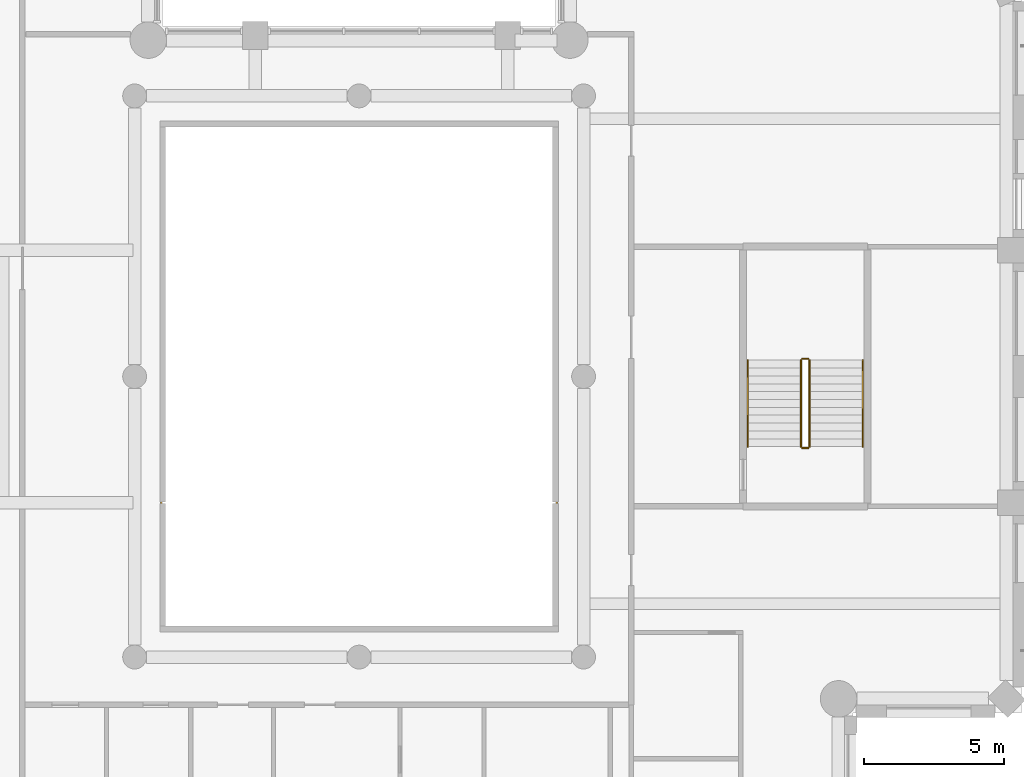
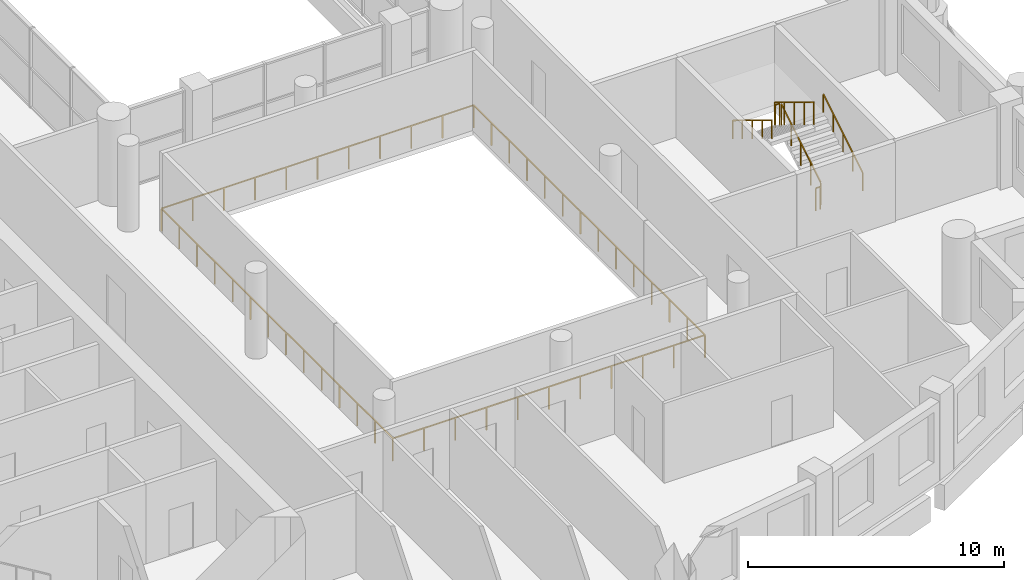
# One storey, part 11 of 14: 7 railings.
"""IFC4 building model written with IfcOpenShell, lengths in metres."""

from ifc_helpers import new_model, si_unit, direction, frame, origin, origin_2d, place, context, subcontext, project, spatial, rectangle, extrude, material, type_object, element, save


model = new_model("IFC4")

# Units and contexts
model_context = context("Model", 3, precision=1e-05, world=origin(), true_north=direction((0.0, 1.0)))
body_context = subcontext(model_context, "Body", "Model", "MODEL_VIEW")
ifc_project = project(units=[si_unit("LENGTHUNIT", "METRE"), si_unit("AREAUNIT", "SQUARE_METRE"), si_unit("VOLUMEUNIT", "CUBIC_METRE"), si_unit("PLANEANGLEUNIT", "RADIAN"), si_unit("MASSUNIT", "GRAM", prefix="KILO")], contexts=[model_context])

# Site, building, storey
site_placement = place(None, origin())
site = spatial("IfcSite", under=ifc_project, at=site_placement, CompositionType="ELEMENT")
building_placement = place(site_placement, origin())
building = spatial("IfcBuilding", under=site, at=building_placement, Name="Cypress Arch Tower", CompositionType="ELEMENT")
storey_placement = place(building_placement, frame((0.0, 0.0, 268.0)))
storey = spatial("IfcBuildingStorey", under=building, at=storey_placement, Name="L60", CompositionType="ELEMENT", Elevation=268.0)

# Railings
ifc_material_1 = material(Name="Stainless steel posts and handrail, laminated glass infill", Category="steel")
railing_type_1 = type_object("IfcRailingType", Name="Atrium guard GR1100A", PredefinedType="GUARDRAIL", material=ifc_material_1)
railing_1_placement = place(storey_placement, frame((8.050048828125, -9.050048828125, 0.0)))
element("IfcRailing", 1, at=railing_1_placement, inside=storey, type_object=railing_type_1, Name="Atrium guard L60", PredefinedType="GUARDRAIL", context=body_context, shape_type="SweptSolid", body=[
    extrude(rectangle(XDim=0.050048828125, YDim=0.050048828125, at=origin_2d()), frame((0.0, 0.0, 1.0751953125), z_axis=(-1.0, 0.0, 0.0), x_axis=(0.0, -1.0, 0.0)), (0.0, 0.0, 1.0), 14.10009765625),
    extrude(rectangle(XDim=0.050048828125, YDim=0.050048828125, at=origin_2d()), frame((-14.10009765625, 0.0, 1.0751953125), z_axis=(0.0, 1.0, 0.0), x_axis=(-1.0, 0.0, 0.0)), (0.0, 0.0, 1.0), 18.10009765625),
    extrude(rectangle(XDim=0.050048828125, YDim=0.050048828125, at=origin_2d()), frame((-14.10009765625, 18.10009765625, 1.0751953125), z_axis=(1.0, 0.0, 0.0), x_axis=(0.0, 1.0, 0.0)), (0.0, 0.0, 1.0), 14.10009765625),
    extrude(rectangle(XDim=0.050048828125, YDim=0.050048828125, at=origin_2d()), frame((0.0, 18.10009765625, 1.0751953125), z_axis=(0.0, -1.0, 0.0), x_axis=(1.0, 0.0, 0.0)), (0.0, 0.0, 1.0), 18.10009765625),
    extrude(rectangle(XDim=0.050048828125, YDim=0.050048828125, at=origin_2d()), origin(), (0.0, 0.0, 1.0), 1.050048828125),
    extrude(rectangle(XDim=0.050048828125, YDim=0.050048828125, at=origin_2d()), frame((-1.409912109375, 0.0, 0.0)), (0.0, 0.0, 1.0), 1.050048828125),
    extrude(rectangle(XDim=0.050048828125, YDim=0.050048828125, at=origin_2d()), frame((-2.820068359375, 0.0, 0.0)), (0.0, 0.0, 1.0), 1.050048828125),
    extrude(rectangle(XDim=0.050048828125, YDim=0.050048828125, at=origin_2d()), frame((-4.22998046875, 0.0, 0.0)), (0.0, 0.0, 1.0), 1.050048828125),
    extrude(rectangle(XDim=0.050048828125, YDim=0.050048828125, at=origin_2d()), frame((-5.64013671875, 0.0, 0.0)), (0.0, 0.0, 1.0), 1.050048828125),
    extrude(rectangle(XDim=0.050048828125, YDim=0.050048828125, at=origin_2d()), frame((-7.050048828125, 0.0, 0.0)), (0.0, 0.0, 1.0), 1.050048828125),
    extrude(rectangle(XDim=0.050048828125, YDim=0.050048828125, at=origin_2d()), frame((-8.4599609375, 0.0, 0.0)), (0.0, 0.0, 1.0), 1.050048828125),
    extrude(rectangle(XDim=0.050048828125, YDim=0.050048828125, at=origin_2d()), frame((-9.8701171875, 0.0, 0.0)), (0.0, 0.0, 1.0), 1.050048828125),
    extrude(rectangle(XDim=0.050048828125, YDim=0.050048828125, at=origin_2d()), frame((-11.280029296875, 0.0, 0.0)), (0.0, 0.0, 1.0), 1.050048828125),
    extrude(rectangle(XDim=0.050048828125, YDim=0.050048828125, at=origin_2d()), frame((-12.690185546875, 0.0, 0.0)), (0.0, 0.0, 1.0), 1.050048828125),
    extrude(rectangle(XDim=0.050048828125, YDim=0.050048828125, at=origin_2d()), frame((-14.10009765625, 0.0, 0.0)), (0.0, 0.0, 1.0), 1.050048828125),
    extrude(rectangle(XDim=0.050048828125, YDim=0.050048828125, at=origin_2d()), frame((-14.10009765625, 1.392333984375, 0.0)), (0.0, 0.0, 1.0), 1.050048828125),
    extrude(rectangle(XDim=0.050048828125, YDim=0.050048828125, at=origin_2d()), frame((-14.10009765625, 2.78466796875, 0.0)), (0.0, 0.0, 1.0), 1.050048828125),
    extrude(rectangle(XDim=0.050048828125, YDim=0.050048828125, at=origin_2d()), frame((-14.10009765625, 4.177001953125, 0.0)), (0.0, 0.0, 1.0), 1.050048828125),
    extrude(rectangle(XDim=0.050048828125, YDim=0.050048828125, at=origin_2d()), frame((-14.10009765625, 5.5693359375, 0.0)), (0.0, 0.0, 1.0), 1.050048828125),
    extrude(rectangle(XDim=0.050048828125, YDim=0.050048828125, at=origin_2d()), frame((-14.10009765625, 6.961669921875, 0.0)), (0.0, 0.0, 1.0), 1.050048828125),
    extrude(rectangle(XDim=0.050048828125, YDim=0.050048828125, at=origin_2d()), frame((-14.10009765625, 8.35400390625, 0.0)), (0.0, 0.0, 1.0), 1.050048828125),
    extrude(rectangle(XDim=0.050048828125, YDim=0.050048828125, at=origin_2d()), frame((-14.10009765625, 9.74609375, 0.0)), (0.0, 0.0, 1.0), 1.050048828125),
    extrude(rectangle(XDim=0.050048828125, YDim=0.050048828125, at=origin_2d()), frame((-14.10009765625, 11.138427734375, 0.0)), (0.0, 0.0, 1.0), 1.050048828125),
    extrude(rectangle(XDim=0.050048828125, YDim=0.050048828125, at=origin_2d()), frame((-14.10009765625, 12.53076171875, 0.0)), (0.0, 0.0, 1.0), 1.050048828125),
    extrude(rectangle(XDim=0.050048828125, YDim=0.050048828125, at=origin_2d()), frame((-14.10009765625, 13.923095703125, 0.0)), (0.0, 0.0, 1.0), 1.050048828125),
    extrude(rectangle(XDim=0.050048828125, YDim=0.050048828125, at=origin_2d()), frame((-14.10009765625, 15.3154296875, 0.0)), (0.0, 0.0, 1.0), 1.050048828125),
    extrude(rectangle(XDim=0.050048828125, YDim=0.050048828125, at=origin_2d()), frame((-14.10009765625, 16.707763671875, 0.0)), (0.0, 0.0, 1.0), 1.050048828125),
    extrude(rectangle(XDim=0.050048828125, YDim=0.050048828125, at=origin_2d()), frame((-14.10009765625, 18.10009765625, 0.0)), (0.0, 0.0, 1.0), 1.050048828125),
    extrude(rectangle(XDim=0.050048828125, YDim=0.050048828125, at=origin_2d()), frame((-12.690185546875, 18.10009765625, 0.0)), (0.0, 0.0, 1.0), 1.050048828125),
    extrude(rectangle(XDim=0.050048828125, YDim=0.050048828125, at=origin_2d()), frame((-11.280029296875, 18.10009765625, 0.0)), (0.0, 0.0, 1.0), 1.050048828125),
    extrude(rectangle(XDim=0.050048828125, YDim=0.050048828125, at=origin_2d()), frame((-9.8701171875, 18.10009765625, 0.0)), (0.0, 0.0, 1.0), 1.050048828125),
    extrude(rectangle(XDim=0.050048828125, YDim=0.050048828125, at=origin_2d()), frame((-8.4599609375, 18.10009765625, 0.0)), (0.0, 0.0, 1.0), 1.050048828125),
    extrude(rectangle(XDim=0.050048828125, YDim=0.050048828125, at=origin_2d()), frame((-7.050048828125, 18.10009765625, 0.0)), (0.0, 0.0, 1.0), 1.050048828125),
    extrude(rectangle(XDim=0.050048828125, YDim=0.050048828125, at=origin_2d()), frame((-5.64013671875, 18.10009765625, 0.0)), (0.0, 0.0, 1.0), 1.050048828125),
    extrude(rectangle(XDim=0.050048828125, YDim=0.050048828125, at=origin_2d()), frame((-4.22998046875, 18.10009765625, 0.0)), (0.0, 0.0, 1.0), 1.050048828125),
    extrude(rectangle(XDim=0.050048828125, YDim=0.050048828125, at=origin_2d()), frame((-2.820068359375, 18.10009765625, 0.0)), (0.0, 0.0, 1.0), 1.050048828125),
    extrude(rectangle(XDim=0.050048828125, YDim=0.050048828125, at=origin_2d()), frame((-1.409912109375, 18.10009765625, 0.0)), (0.0, 0.0, 1.0), 1.050048828125),
    extrude(rectangle(XDim=0.050048828125, YDim=0.050048828125, at=origin_2d()), frame((0.0, 18.10009765625, 0.0)), (0.0, 0.0, 1.0), 1.050048828125),
    extrude(rectangle(XDim=0.050048828125, YDim=0.050048828125, at=origin_2d()), frame((0.0, 16.707763671875, 0.0)), (0.0, 0.0, 1.0), 1.050048828125),
    extrude(rectangle(XDim=0.050048828125, YDim=0.050048828125, at=origin_2d()), frame((0.0, 15.3154296875, 0.0)), (0.0, 0.0, 1.0), 1.050048828125),
    extrude(rectangle(XDim=0.050048828125, YDim=0.050048828125, at=origin_2d()), frame((0.0, 13.923095703125, 0.0)), (0.0, 0.0, 1.0), 1.050048828125),
    extrude(rectangle(XDim=0.050048828125, YDim=0.050048828125, at=origin_2d()), frame((0.0, 12.53076171875, 0.0)), (0.0, 0.0, 1.0), 1.050048828125),
    extrude(rectangle(XDim=0.050048828125, YDim=0.050048828125, at=origin_2d()), frame((0.0, 11.138427734375, 0.0)), (0.0, 0.0, 1.0), 1.050048828125),
    extrude(rectangle(XDim=0.050048828125, YDim=0.050048828125, at=origin_2d()), frame((0.0, 9.74609375, 0.0)), (0.0, 0.0, 1.0), 1.050048828125),
    extrude(rectangle(XDim=0.050048828125, YDim=0.050048828125, at=origin_2d()), frame((0.0, 8.35400390625, 0.0)), (0.0, 0.0, 1.0), 1.050048828125),
    extrude(rectangle(XDim=0.050048828125, YDim=0.050048828125, at=origin_2d()), frame((0.0, 6.961669921875, 0.0)), (0.0, 0.0, 1.0), 1.050048828125),
    extrude(rectangle(XDim=0.050048828125, YDim=0.050048828125, at=origin_2d()), frame((0.0, 5.5693359375, 0.0)), (0.0, 0.0, 1.0), 1.050048828125),
    extrude(rectangle(XDim=0.050048828125, YDim=0.050048828125, at=origin_2d()), frame((0.0, 4.177001953125, 0.0)), (0.0, 0.0, 1.0), 1.050048828125),
    extrude(rectangle(XDim=0.050048828125, YDim=0.050048828125, at=origin_2d()), frame((0.0, 2.78466796875, 0.0)), (0.0, 0.0, 1.0), 1.050048828125),
    extrude(rectangle(XDim=0.050048828125, YDim=0.050048828125, at=origin_2d()), frame((0.0, 1.392333984375, 0.0)), (0.0, 0.0, 1.0), 1.050048828125),
])
ifc_material_2 = material(Name="Black powder-coated steel square bar 48 mm", Category="steel")
railing_type_2 = type_object("IfcRailingType", Name="Stair handrail HR1", PredefinedType="HANDRAIL", material=ifc_material_2)
railing_2_placement = place(storey_placement, frame((18.949951171875, -2.5, 0.1708984375)))
element("IfcRailing", 2, at=railing_2_placement, inside=storey, type_object=railing_type_2, Name="L60 C stair handrail 1", PredefinedType="HANDRAIL", context=body_context, shape_type="SweptSolid", body=[
    extrude(rectangle(XDim=0.048095703125, YDim=0.048095703125, at=origin_2d()), frame((0.0, 0.0, 0.8759765625), z_axis=(0.0, 0.853666305674, 0.52082035152), x_axis=(-1.0, 0.0, 0.0)), (0.0, 0.0, 1.0), 3.608154296875),
    extrude(rectangle(XDim=0.0419921875, YDim=0.0419921875, at=origin_2d()), origin(), (0.0, 0.0, 1.0), 0.851806640625),
    extrude(rectangle(XDim=0.0419921875, YDim=0.0419921875, at=origin_2d()), frame((0.0, 0.77001953125, 0.4697265625)), (0.0, 0.0, 1.0), 0.851806640625),
    extrude(rectangle(XDim=0.0419921875, YDim=0.0419921875, at=origin_2d()), frame((0.0, 1.5400390625, 0.939453125)), (0.0, 0.0, 1.0), 0.851806640625),
    extrude(rectangle(XDim=0.0419921875, YDim=0.0419921875, at=origin_2d()), frame((0.0, 2.31005859375, 1.409423828125)), (0.0, 0.0, 1.0), 0.851806640625),
    extrude(rectangle(XDim=0.0419921875, YDim=0.0419921875, at=origin_2d()), frame((0.0, 3.080078125, 1.879150390625)), (0.0, 0.0, 1.0), 0.851806640625),
])
railing_3_placement = place(storey_placement, frame((14.85009765625, 0.580078125, 2.220947265625)))
element("IfcRailing", 3, at=railing_3_placement, inside=storey, type_object=railing_type_2, Name="L60 C stair handrail 2", PredefinedType="HANDRAIL", context=body_context, shape_type="SweptSolid", body=[
    extrude(rectangle(XDim=0.048095703125, YDim=0.048095703125, at=origin_2d()), frame((0.0, 0.0, 0.8759765625), z_axis=(0.0, -0.853666305674, 0.52082035152), x_axis=(1.0, 0.0, 0.0)), (0.0, 0.0, 1.0), 3.608154296875),
    extrude(rectangle(XDim=0.0419921875, YDim=0.0419921875, at=origin_2d()), origin(), (0.0, 0.0, 1.0), 0.851806640625),
    extrude(rectangle(XDim=0.0419921875, YDim=0.0419921875, at=origin_2d()), frame((0.0, -0.77001953125, 0.4697265625)), (0.0, 0.0, 1.0), 0.851806640625),
    extrude(rectangle(XDim=0.0419921875, YDim=0.0419921875, at=origin_2d()), frame((0.0, -1.5400390625, 0.939453125)), (0.0, 0.0, 1.0), 0.851806640625),
    extrude(rectangle(XDim=0.0419921875, YDim=0.0419921875, at=origin_2d()), frame((0.0, -2.31005859375, 1.409423828125)), (0.0, 0.0, 1.0), 0.851806640625),
    extrude(rectangle(XDim=0.0419921875, YDim=0.0419921875, at=origin_2d()), frame((0.0, -3.080078125, 1.879150390625)), (0.0, 0.0, 1.0), 0.851806640625),
])
ifc_material_3 = material(Name="Black powder-coated steel balusters", Category="steel")
railing_type_3 = type_object("IfcRailingType", Name="Stair well guard G1", PredefinedType="GUARDRAIL", material=ifc_material_3)
railing_4_placement = place(storey_placement, frame((17.050048828125, -2.5, 0.1708984375)))
element("IfcRailing", 4, at=railing_4_placement, inside=storey, type_object=railing_type_3, Name="L60 C stair guard 1", PredefinedType="GUARDRAIL", context=body_context, shape_type="SweptSolid", body=[
    extrude(rectangle(XDim=0.048095703125, YDim=0.048095703125, at=origin_2d()), frame((0.0, 0.0, 1.076171875), z_axis=(0.0, 0.853666305674, 0.52082035152), x_axis=(-1.0, 0.0, 0.0)), (0.0, 0.0, 1.0), 3.608154296875),
    extrude(rectangle(XDim=0.0419921875, YDim=0.0419921875, at=origin_2d()), origin(), (0.0, 0.0, 1.0), 1.052001953125),
    extrude(rectangle(XDim=0.0419921875, YDim=0.0419921875, at=origin_2d()), frame((0.0, 0.77001953125, 0.4697265625)), (0.0, 0.0, 1.0), 1.052001953125),
    extrude(rectangle(XDim=0.0419921875, YDim=0.0419921875, at=origin_2d()), frame((0.0, 1.5400390625, 0.939453125)), (0.0, 0.0, 1.0), 1.052001953125),
    extrude(rectangle(XDim=0.0419921875, YDim=0.0419921875, at=origin_2d()), frame((0.0, 2.31005859375, 1.409423828125)), (0.0, 0.0, 1.0), 1.052001953125),
    extrude(rectangle(XDim=0.0419921875, YDim=0.0419921875, at=origin_2d()), frame((0.0, 3.080078125, 1.879150390625)), (0.0, 0.0, 1.0), 1.052001953125),
])
railing_5_placement = place(storey_placement, frame((17.0, 0.6298828125, 2.050048828125)))
element("IfcRailing", 5, at=railing_5_placement, inside=storey, type_object=railing_type_3, Name="L60 C stair guard 2", PredefinedType="GUARDRAIL", context=body_context, shape_type="SweptSolid", body=[
    extrude(rectangle(XDim=0.048095703125, YDim=0.048095703125, at=origin_2d()), frame((0.0, 0.0, 1.076171875), z_axis=(-1.0, 0.0, 0.0), x_axis=(0.0, -1.0, 0.0)), (0.0, 0.0, 1.0), 0.199951171875),
    extrude(rectangle(XDim=0.0419921875, YDim=0.0419921875, at=origin_2d()), origin(), (0.0, 0.0, 1.0), 1.052001953125),
    extrude(rectangle(XDim=0.0419921875, YDim=0.0419921875, at=origin_2d()), frame((-0.199951171875, 0.0, 0.0)), (0.0, 0.0, 1.0), 1.052001953125),
])
railing_6_placement = place(storey_placement, frame((16.75, 0.580078125, 2.220947265625)))
element("IfcRailing", 6, at=railing_6_placement, inside=storey, type_object=railing_type_3, Name="L60 C stair guard 3", PredefinedType="GUARDRAIL", context=body_context, shape_type="SweptSolid", body=[
    extrude(rectangle(XDim=0.048095703125, YDim=0.048095703125, at=origin_2d()), frame((0.0, 0.0, 1.076171875), z_axis=(0.0, -0.853666305674, 0.52082035152), x_axis=(1.0, 0.0, 0.0)), (0.0, 0.0, 1.0), 3.608154296875),
    extrude(rectangle(XDim=0.0419921875, YDim=0.0419921875, at=origin_2d()), origin(), (0.0, 0.0, 1.0), 1.052001953125),
    extrude(rectangle(XDim=0.0419921875, YDim=0.0419921875, at=origin_2d()), frame((0.0, -0.77001953125, 0.4697265625)), (0.0, 0.0, 1.0), 1.052001953125),
    extrude(rectangle(XDim=0.0419921875, YDim=0.0419921875, at=origin_2d()), frame((0.0, -1.5400390625, 0.939453125)), (0.0, 0.0, 1.0), 1.052001953125),
    extrude(rectangle(XDim=0.0419921875, YDim=0.0419921875, at=origin_2d()), frame((0.0, -2.31005859375, 1.409423828125)), (0.0, 0.0, 1.0), 1.052001953125),
    extrude(rectangle(XDim=0.0419921875, YDim=0.0419921875, at=origin_2d()), frame((0.0, -3.080078125, 1.879150390625)), (0.0, 0.0, 1.0), 1.052001953125),
])
railing_7_placement = place(storey_placement, frame((17.0, -2.550048828125, 0.0)))
element("IfcRailing", 7, at=railing_7_placement, inside=storey, type_object=railing_type_3, Name="L60 C stair guard 4", PredefinedType="GUARDRAIL", context=body_context, shape_type="SweptSolid", body=[
    extrude(rectangle(XDim=0.048095703125, YDim=0.048095703125, at=origin_2d()), frame((0.0, 0.0, 1.076171875), z_axis=(-1.0, 0.0, 0.0), x_axis=(0.0, -1.0, 0.0)), (0.0, 0.0, 1.0), 0.199951171875),
    extrude(rectangle(XDim=0.0419921875, YDim=0.0419921875, at=origin_2d()), origin(), (0.0, 0.0, 1.0), 1.052001953125),
    extrude(rectangle(XDim=0.0419921875, YDim=0.0419921875, at=origin_2d()), frame((-0.199951171875, 0.0, 0.0)), (0.0, 0.0, 1.0), 1.052001953125),
])

save(model, "model.ifc")
